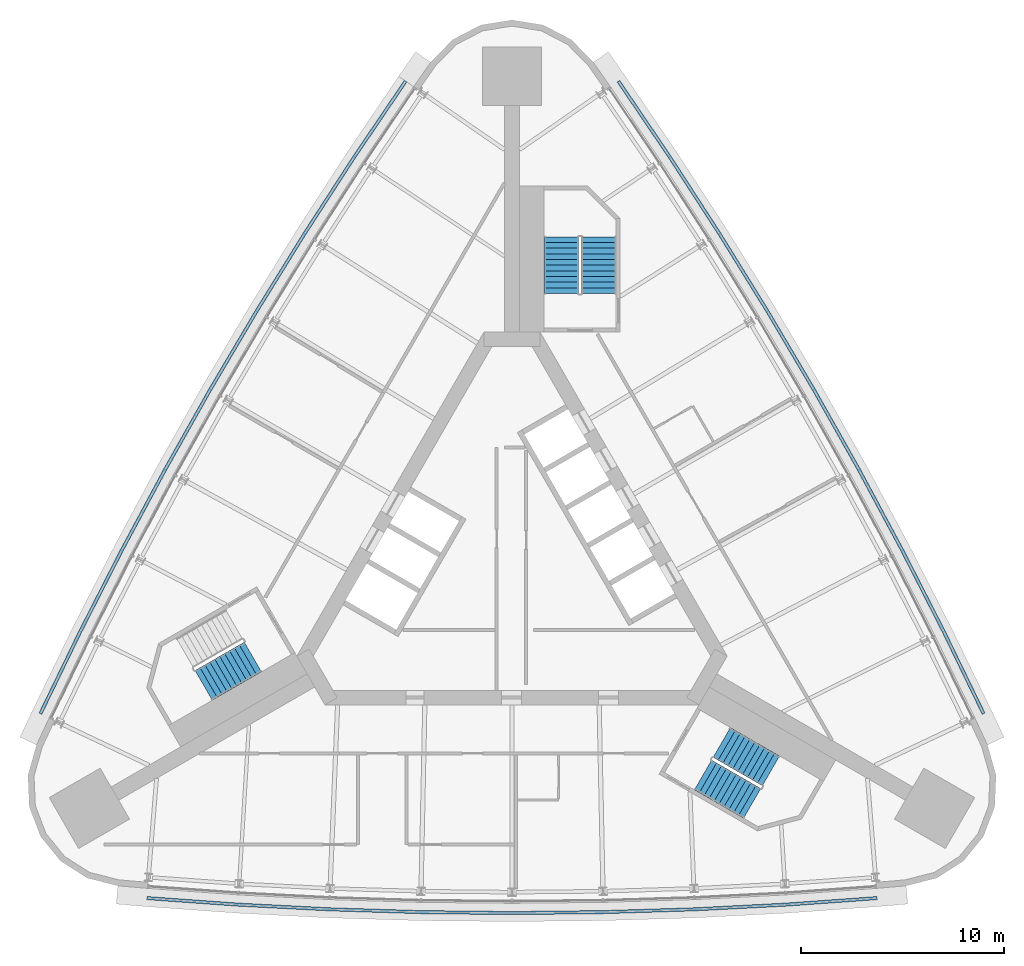
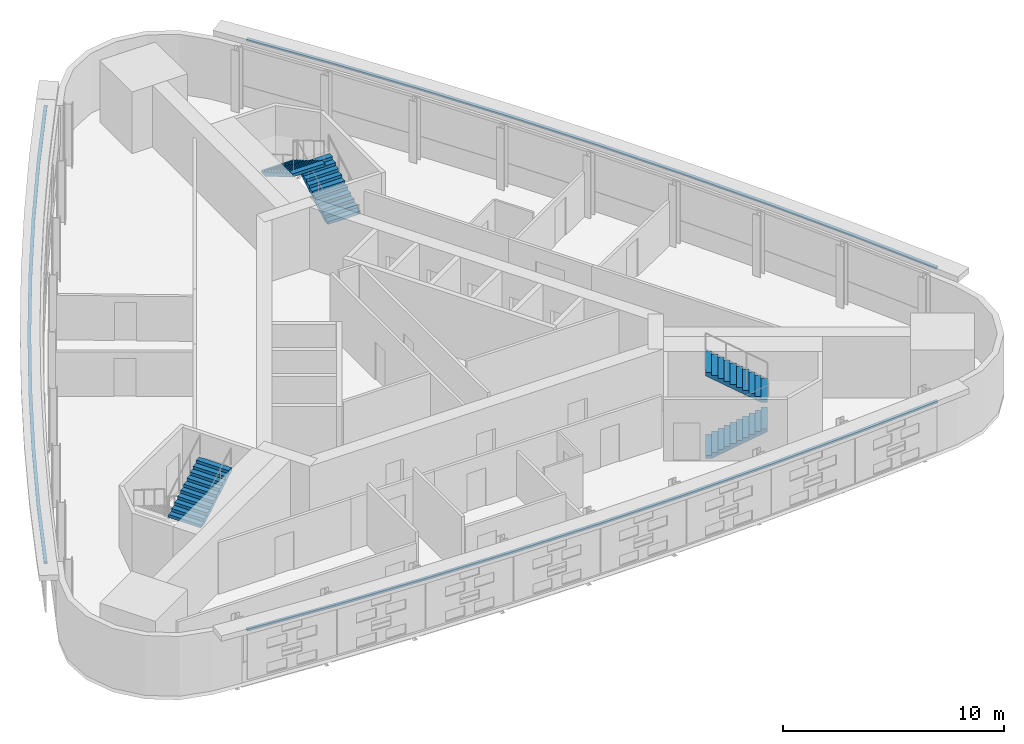
# One storey, part 11 of 13: 5 stair flights, 3 discrete accessories, 3 elements without a shape of their own.
"""IFC4 building model written with IfcOpenShell, lengths in metres."""

from ifc_helpers import new_model, si_unit, direction, frame, origin, place, context, subcontext, project, spatial, polyline, outline, extrude, material, type_object, element, aggregate, save


model = new_model("IFC4")

# Units and contexts
model_context = context("Model", 3, precision=1e-05, world=origin(), true_north=direction((0.0, 1.0)))
body_context = subcontext(model_context, "Body", "Model", "MODEL_VIEW")
ifc_project = project(units=[si_unit("LENGTHUNIT", "METRE"), si_unit("AREAUNIT", "SQUARE_METRE"), si_unit("VOLUMEUNIT", "CUBIC_METRE"), si_unit("PLANEANGLEUNIT", "RADIAN"), si_unit("MASSUNIT", "GRAM", prefix="KILO")], contexts=[model_context])

# Site, building, storey
site_placement = place(None, origin())
site = spatial("IfcSite", under=ifc_project, at=site_placement, CompositionType="ELEMENT")
building_placement = place(site_placement, origin())
building = spatial("IfcBuilding", under=site, at=building_placement, Name="Noor Cloister Tower", CompositionType="ELEMENT")
storey_placement = place(building_placement, frame((0.0, 0.0, 147.300048828125)))
storey = spatial("IfcBuildingStorey", under=building, at=storey_placement, Name="L37", CompositionType="ELEMENT", Elevation=147.300048828125)

# Stair, stair flights
ifc_material_1 = material(Name="Concrete C40/50", Category="concrete")
stair_type = type_object("IfcStairType", Name="Exit stair 22 risers", PredefinedType="HALF_TURN_STAIR", material=ifc_material_1)
stair_1_placement = place(storey_placement, origin())
stair_1 = element("IfcStair", 1, at=stair_1_placement, inside=storey, type_object=stair_type, Name="Exit stair ST1 L37", PredefinedType="HALF_TURN_STAIR")
ifc_material_2 = material(Name="Concrete C40/50", Category="concrete")
stair_flight_type = type_object("IfcStairFlightType", Name="Exit stair flight", PredefinedType="STRAIGHT", material=ifc_material_2)
stair_flight_1_placement = place(storey_placement, frame((4.28564453125, 13.3564453125, 0.0), z_axis=(0.0, 0.0, 1.0), x_axis=(0.0, 1.0, 0.0)))
stair_flight_1 = element("IfcStairFlight", 2, at=stair_flight_1_placement, type_object=stair_flight_type, Name="ST1 flight 1", NumberOfRisers=11, NumberOfTreads=10, PredefinedType="STRAIGHT", RiserHeight=0.163636364, TreadLength=0.28, context=body_context, shape_type="SweptSolid", body=[
    extrude(outline(polyline([(0.0, 0.0), (0.0, 0.16357421875), (0.280029296875, 0.16357421875), (0.280029296875, 0.327392578125), (0.56005859375, 0.327392578125), (0.56005859375, 0.490966796875), (0.840087890625, 0.490966796875), (0.840087890625, 0.654541015625), (1.1201171875, 0.654541015625), (1.1201171875, 0.818115234375), (1.39990234375, 0.818115234375), (1.39990234375, 0.98193359375), (1.679931640625, 0.98193359375), (1.679931640625, 1.1455078125), (1.9599609375, 1.1455078125), (1.9599609375, 1.30908203125), (2.239990234375, 1.30908203125), (2.239990234375, 1.47265625), (2.52001953125, 1.47265625), (2.52001953125, 1.636474609375), (2.800048828125, 1.636474609375), (2.800048828125, 1.800048828125), (2.800048828125, 1.462646484375), (0.297119140625, 0.0), (0.0, 0.0)])), frame((0.0, 0.85009765625, 0.0), z_axis=(0.0, -1.0, 0.0), x_axis=(1.0, 0.0, 0.0)), (0.0, 0.0, 1.0), 1.699951171875),
])
stair_flight_2_placement = place(storey_placement, frame((2.435546875, 16.156494140625, 1.800048828125), z_axis=(0.0, 0.0, 1.0), x_axis=(0.0, -1.0, 0.0)))
stair_flight_2 = element("IfcStairFlight", 3, at=stair_flight_2_placement, type_object=stair_flight_type, Name="ST1 flight 2", NumberOfRisers=11, NumberOfTreads=10, PredefinedType="STRAIGHT", RiserHeight=0.163636364, TreadLength=0.28, context=body_context, shape_type="SweptSolid", body=[
    extrude(outline(polyline([(0.0, 0.0), (0.0, 0.16357421875), (0.280029296875, 0.16357421875), (0.280029296875, 0.327392578125), (0.56005859375, 0.327392578125), (0.56005859375, 0.490966796875), (0.840087890625, 0.490966796875), (0.840087890625, 0.654541015625), (1.1201171875, 0.654541015625), (1.1201171875, 0.818115234375), (1.39990234375, 0.818115234375), (1.39990234375, 0.98193359375), (1.679931640625, 0.98193359375), (1.679931640625, 1.1455078125), (1.9599609375, 1.1455078125), (1.9599609375, 1.30908203125), (2.239990234375, 1.30908203125), (2.239990234375, 1.47265625), (2.52001953125, 1.47265625), (2.52001953125, 1.636474609375), (2.800048828125, 1.636474609375), (2.800048828125, 1.800048828125), (2.800048828125, 1.462646484375), (0.297119140625, 0.0), (0.0, 0.0)])), frame((0.0, 0.85009765625, 0.0), z_axis=(0.0, -1.0, 0.0), x_axis=(1.0, 0.0, 0.0)), (0.0, 0.0, 1.0), 1.699951171875),
])
aggregate(stair_1, [stair_flight_1, stair_flight_2])

# Stair, stair flight
stair_2_placement = place(storey_placement, origin())
stair_2 = element("IfcStair", 4, at=stair_2_placement, inside=storey, type_object=stair_type, Name="Exit stair ST2 L37", PredefinedType="HALF_TURN_STAIR")
stair_flight_3_placement = place(storey_placement, frame((-15.209716796875, -5.968994140625, 1.800048828125), z_axis=(0.0, 0.0, 1.0), x_axis=(0.866025403784, 0.5, 0.0)))
stair_flight_3 = element("IfcStairFlight", 5, at=stair_flight_3_placement, type_object=stair_flight_type, Name="ST2 flight 2", NumberOfRisers=11, NumberOfTreads=10, PredefinedType="STRAIGHT", RiserHeight=0.163636364, TreadLength=0.28, context=body_context, shape_type="SweptSolid", body=[
    extrude(outline(polyline([(0.0, 0.0), (0.0, 0.16357421875), (0.280029296875, 0.16357421875), (0.280029296875, 0.327392578125), (0.56005859375, 0.327392578125), (0.56005859375, 0.490966796875), (0.840087890625, 0.490966796875), (0.840087890625, 0.654541015625), (1.1201171875, 0.654541015625), (1.1201171875, 0.818115234375), (1.39990234375, 0.818115234375), (1.39990234375, 0.98193359375), (1.679931640625, 0.98193359375), (1.679931640625, 1.1455078125), (1.9599609375, 1.1455078125), (1.9599609375, 1.30908203125), (2.239990234375, 1.30908203125), (2.239990234375, 1.47265625), (2.52001953125, 1.47265625), (2.52001953125, 1.636474609375), (2.800048828125, 1.636474609375), (2.800048828125, 1.800048828125), (2.800048828125, 1.462646484375), (0.297119140625, 0.0), (0.0, 0.0)])), frame((0.0, 0.85009765625, 0.0), z_axis=(0.0, -1.0, 0.0), x_axis=(1.0, 0.0, 0.0)), (0.0, 0.0, 1.0), 1.699951171875),
])
aggregate(stair_2, [stair_flight_3])

# Stair, stair flights
stair_3_placement = place(storey_placement, origin())
stair_3 = element("IfcStair", 6, at=stair_3_placement, inside=storey, type_object=stair_type, Name="Exit stair ST3 L37", PredefinedType="HALF_TURN_STAIR")
stair_flight_4_placement = place(storey_placement, frame((9.424072265625, -10.3896484375, 0.0), z_axis=(0.0, 0.0, 1.0), x_axis=(0.866025403784, -0.5, 0.0)))
stair_flight_4 = element("IfcStairFlight", 7, at=stair_flight_4_placement, type_object=stair_flight_type, Name="ST3 flight 1", NumberOfRisers=11, NumberOfTreads=10, PredefinedType="STRAIGHT", RiserHeight=0.163636364, TreadLength=0.28, context=body_context, shape_type="SweptSolid", body=[
    extrude(outline(polyline([(0.0, 0.0), (0.0, 0.16357421875), (0.280029296875, 0.16357421875), (0.280029296875, 0.327392578125), (0.56005859375, 0.327392578125), (0.56005859375, 0.490966796875), (0.840087890625, 0.490966796875), (0.840087890625, 0.654541015625), (1.1201171875, 0.654541015625), (1.1201171875, 0.818115234375), (1.39990234375, 0.818115234375), (1.39990234375, 0.98193359375), (1.679931640625, 0.98193359375), (1.679931640625, 1.1455078125), (1.9599609375, 1.1455078125), (1.9599609375, 1.30908203125), (2.239990234375, 1.30908203125), (2.239990234375, 1.47265625), (2.52001953125, 1.47265625), (2.52001953125, 1.636474609375), (2.800048828125, 1.636474609375), (2.800048828125, 1.800048828125), (2.800048828125, 1.462646484375), (0.297119140625, 0.0), (0.0, 0.0)])), frame((0.0, 0.85009765625, 0.0), z_axis=(0.0, -1.0, 0.0), x_axis=(1.0, 0.0, 0.0)), (0.0, 0.0, 1.0), 1.699951171875),
])
stair_flight_5_placement = place(storey_placement, frame((12.77392578125, -10.1875, 1.800048828125), z_axis=(0.0, 0.0, 1.0), x_axis=(-0.866025403784, 0.5, 0.0)))
stair_flight_5 = element("IfcStairFlight", 8, at=stair_flight_5_placement, type_object=stair_flight_type, Name="ST3 flight 2", NumberOfRisers=11, NumberOfTreads=10, PredefinedType="STRAIGHT", RiserHeight=0.163636364, TreadLength=0.28, context=body_context, shape_type="SweptSolid", body=[
    extrude(outline(polyline([(0.0, 0.0), (0.0, 0.16357421875), (0.280029296875, 0.16357421875), (0.280029296875, 0.327392578125), (0.56005859375, 0.327392578125), (0.56005859375, 0.490966796875), (0.840087890625, 0.490966796875), (0.840087890625, 0.654541015625), (1.1201171875, 0.654541015625), (1.1201171875, 0.818115234375), (1.39990234375, 0.818115234375), (1.39990234375, 0.98193359375), (1.679931640625, 0.98193359375), (1.679931640625, 1.1455078125), (1.9599609375, 1.1455078125), (1.9599609375, 1.30908203125), (2.239990234375, 1.30908203125), (2.239990234375, 1.47265625), (2.52001953125, 1.47265625), (2.52001953125, 1.636474609375), (2.800048828125, 1.636474609375), (2.800048828125, 1.800048828125), (2.800048828125, 1.462646484375), (0.297119140625, 0.0), (0.0, 0.0)])), frame((0.0, 0.85009765625, 0.0), z_axis=(0.0, -1.0, 0.0), x_axis=(1.0, 0.0, 0.0)), (0.0, 0.0, 1.0), 1.699951171875),
])
aggregate(stair_3, [stair_flight_4, stair_flight_5])

# Discrete accessories
ifc_material_3 = material(Name="Stainless steel grade 316", Category="steel")
discrete_accessory_type = type_object("IfcDiscreteAccessoryType", Name="Stainless hanger rail", PredefinedType="BRACKET", material=ifc_material_3)
discrete_accessory_1_placement = place(storey_placement, frame((0.0, 0.0, 3.199951171875)))
element("IfcDiscreteAccessory", 9, at=discrete_accessory_1_placement, inside=storey, type_object=discrete_accessory_type, Name="Hanger rail L37", PredefinedType="BRACKET", context=body_context, shape_type="SweptSolid", body=[
    extrude(outline(polyline([(-5.31689453125, 23.87744140625), (-7.84375, 20.14697265625), (-10.296630859375, 16.360595703125), (-12.67138671875, 12.52490234375), (-14.967041015625, 8.641357421875), (-17.1826171875, 4.71142578125), (-19.317138671875, 0.73681640625), (-21.36962890625, -3.280517578125), (-23.3369140625, -7.333984375), (-23.193115234375, -7.404052734375), (-21.2265625, -3.351806640625), (-19.17529296875, 0.66259765625), (-17.04248046875, 4.63427734375), (-14.82861328125, 8.561279296875), (-12.53466796875, 12.442138671875), (-10.16162109375, 16.275146484375), (-7.71044921875, 20.05859375), (-5.1845703125, 23.78759765625), (-5.31689453125, 23.87744140625)])), origin(), (0.0, 0.0, 1.0), 0.10009765625),
])
discrete_accessory_2_placement = place(storey_placement, frame((0.0, 0.0, 3.199951171875)))
element("IfcDiscreteAccessory", 10, at=discrete_accessory_2_placement, inside=storey, type_object=discrete_accessory_type, Name="Hanger rail L37", PredefinedType="BRACKET", context=body_context, shape_type="SweptSolid", body=[
    extrude(outline(polyline([(-18.02001953125, -16.54345703125), (-13.52587890625, -16.866455078125), (-9.0205078125, -17.09765625), (-4.51123046875, -17.236328125), (0.0, -17.282470703125), (4.51123046875, -17.236328125), (9.0205078125, -17.09765625), (13.52587890625, -16.866455078125), (18.02001953125, -16.54345703125), (18.008544921875, -16.3837890625), (13.51611328125, -16.706787109375), (9.013916015625, -16.937744140625), (4.5078125, -17.076416015625), (0.0, -17.12255859375), (-4.5078125, -17.076416015625), (-9.013916015625, -16.937744140625), (-13.51611328125, -16.706787109375), (-18.008544921875, -16.3837890625), (-18.02001953125, -16.54345703125)])), origin(), (0.0, 0.0, 1.0), 0.10009765625),
])
discrete_accessory_3_placement = place(storey_placement, frame((0.0, 0.0, 3.199951171875)))
element("IfcDiscreteAccessory", 11, at=discrete_accessory_3_placement, inside=storey, type_object=discrete_accessory_type, Name="Hanger rail L37", PredefinedType="BRACKET", context=body_context, shape_type="SweptSolid", body=[
    extrude(outline(polyline([(23.3369140625, -7.333984375), (21.36962890625, -3.280517578125), (19.317138671875, 0.73681640625), (17.1826171875, 4.71142578125), (14.967041015625, 8.641357421875), (12.67138671875, 12.52490234375), (10.296630859375, 16.360595703125), (7.84375, 20.14697265625), (5.31689453125, 23.87744140625), (5.1845703125, 23.78759765625), (7.71044921875, 20.05859375), (10.16162109375, 16.275146484375), (12.53466796875, 12.442138671875), (14.82861328125, 8.561279296875), (17.04248046875, 4.63427734375), (19.17529296875, 0.66259765625), (21.2265625, -3.351806640625), (23.193115234375, -7.404052734375), (23.3369140625, -7.333984375)])), origin(), (0.0, 0.0, 1.0), 0.10009765625),
])

save(model, "model.ifc")
